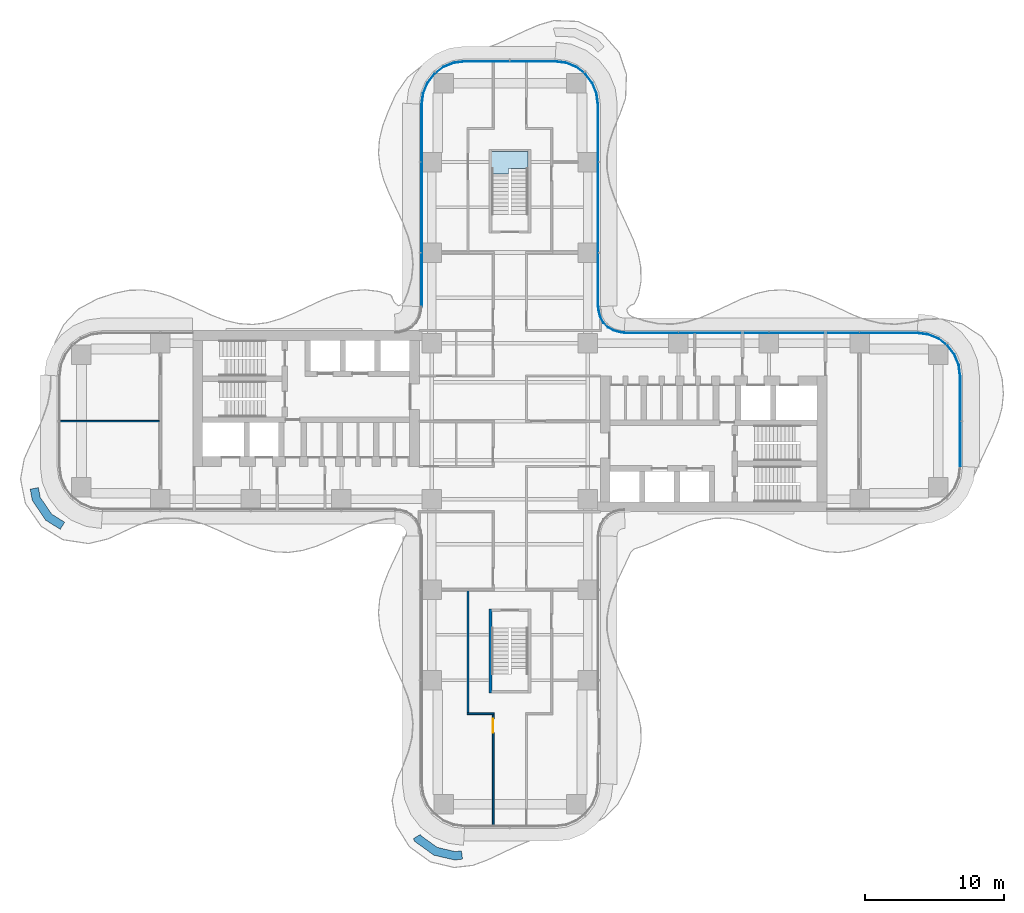
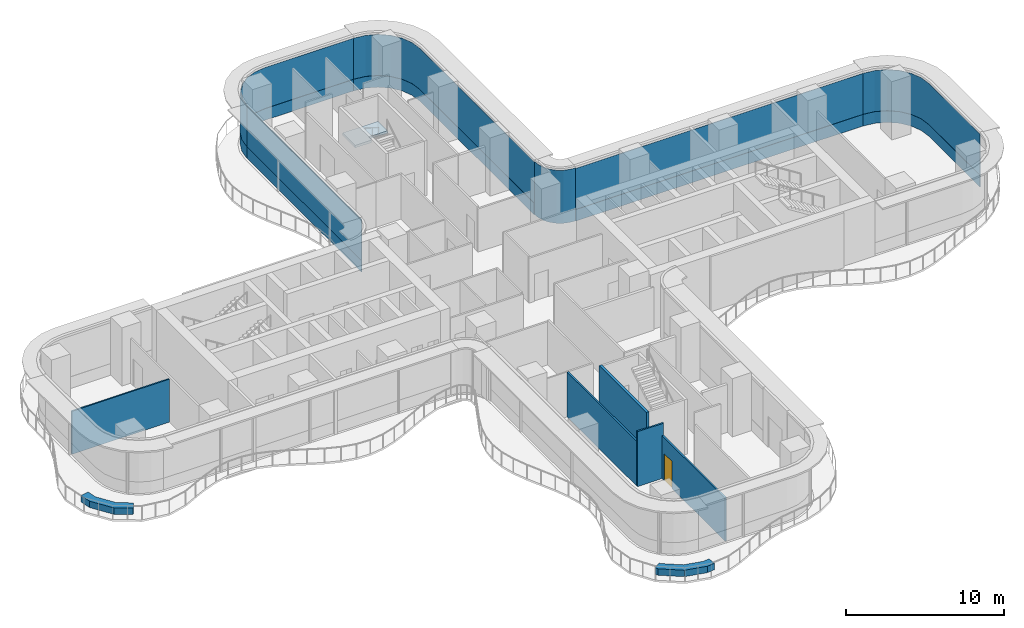
# One storey, part 16 of 23: 11 plates, 7 walls, 1 door, 1 slab, 1 opening, 7 elements without a shape of their own.
"""IFC4 building model written with IfcOpenShell, lengths in metres."""

from ifc_helpers import new_model, si_unit, direction, frame, frame_2d, origin, place, context, subcontext, project, spatial, polyline, rectangle, outline, extrude, source, transform, mapped, material, layer, layer_set, type_object, element, fill, aggregate, save


model = new_model("IFC4")

# Units and contexts
model_context = context("Model", 3, precision=1e-05, world=origin(), true_north=direction((0.0, 1.0)))
body_context = subcontext(model_context, "Body", "Model", "MODEL_VIEW")
ifc_project = project(units=[si_unit("LENGTHUNIT", "METRE"), si_unit("AREAUNIT", "SQUARE_METRE"), si_unit("VOLUMEUNIT", "CUBIC_METRE"), si_unit("PLANEANGLEUNIT", "RADIAN"), si_unit("MASSUNIT", "GRAM", prefix="KILO")], contexts=[model_context])

# Site, building, storey
site_placement = place(None, origin())
site = spatial("IfcSite", under=ifc_project, at=site_placement, CompositionType="ELEMENT")
building_placement = place(site_placement, origin())
building = spatial("IfcBuilding", under=site, at=building_placement, Name="Trellis Farm Tower", CompositionType="ELEMENT")
storey_placement = place(building_placement, frame((0.0, 0.0, 74.5)))
storey = spatial("IfcBuildingStorey", under=building, at=storey_placement, Name="L15", CompositionType="ELEMENT", Elevation=74.5)

# Stair, slab
ifc_material_1 = material(Name="Concrete C50/60", Category="concrete")
stair_type = type_object("IfcStairType", Name="CORE EXIT STAIR 26 RISERS 173 MM", PredefinedType="HALF_TURN_STAIR", material=ifc_material_1)
placement_1 = place(storey_placement, origin())
stair = element("IfcStair", 1, at=placement_1, inside=storey, type_object=stair_type, Name="Exit stair N", PredefinedType="HALF_TURN_STAIR")
ifc_layer_1 = layer(ifc_material_1, 0.18994140625)
ifc_layer_set_1 = layer_set([ifc_layer_1], Name="CORE STAIR LANDING 190 CONCRETE C50/60")
slab_type = type_object("IfcSlabType", Name="CORE STAIR LANDING 190 CONCRETE C50/60", PredefinedType="LANDING", material=ifc_layer_set_1)
shared_shape_1 = source(origin(), body_context, "Body", "SweptSolid", [
    extrude(outline(polyline([(-0.10009765625, 17.753173828125), (-1.300048828125, 17.753173828125), (-1.300048828125, 18.14990234375), (-1.300048828125, 19.35009765625), (1.300048828125, 19.35009765625), (1.300048828125, 18.14990234375), (1.300048828125, 18.139892578125), (0.10009765625, 18.139892578125), (0.10009765625, 18.14990234375), (-0.10009765625, 18.14990234375), (-0.10009765625, 17.753173828125)])), origin(), (0.0, 0.0, 1.0), 0.18994140625),
])
slab_placement = place(storey_placement, frame((0.0, 0.0, 2.06005859375)))
slab = element("IfcSlab", 2, at=slab_placement, type_object=slab_type, Name="STN landing 1", PredefinedType="LANDING", context=body_context, shape_type="MappedRepresentation", body=[
    mapped(shared_shape_1, transform((0.0, 0.0, 0.0))),
])
aggregate(stair, [slab])

# Curtain wall, plates
ifc_material_2 = material(Name="Aluminium and glass curtain wall", Category="aluminium")
ifc_layer_2 = layer(ifc_material_2, 0.18994140625)
ifc_layer_set_2 = layer_set([ifc_layer_2], Name="RIBBON CURTAIN WALL CW1")
curtain_wall_type_1 = type_object("IfcCurtainWallType", Name="RIBBON CURTAIN WALL CW1", PredefinedType="NOTDEFINED", material=ifc_layer_set_2)
curtain_wall_1 = element("IfcCurtainWall", 3, at=placement_1, inside=storey, type_object=curtain_wall_type_1, Name="CW1 008", PredefinedType="NOTDEFINED")
ifc_material_3 = material(Name="Clear insulated glass", Category="glass")
ifc_layer_3 = layer(ifc_material_3, 0.0400390625)
ifc_layer_set_3 = layer_set([ifc_layer_3], Name="CW1 GLASS PANEL 40")
plate_type_1 = type_object("IfcPlateType", Name="CW1 GLASS PANEL 40", PredefinedType="CURTAIN_PANEL", material=ifc_layer_set_3)
shared_shape_2 = source(origin(), body_context, "Body", "SweptSolid", [
    extrude(outline(polyline([(29.240234375, 6.35009765625), (8.2265625, 6.35009765625), (8.22509765625, 6.31005859375), (29.237548828125, 6.31005859375), (29.240234375, 6.35009765625)])), origin(), (0.0, 0.0, 1.0), 3.170166015625),
])
placement_2 = place(storey_placement, frame((0.0, 0.0, 0.89990234375)))
plate_1 = element("IfcPlate", 4, at=placement_2, type_object=plate_type_1, Name="PL1 008", PredefinedType="CURTAIN_PANEL", context=body_context, shape_type="MappedRepresentation", body=[
    mapped(shared_shape_2, transform((0.0, 0.0, 0.0))),
])
ifc_material_4 = material(Name="Sandstone faced insulated panel", Category="masonry")
ifc_layer_4 = layer(ifc_material_4, 0.050048828125)
ifc_layer_set_4 = layer_set([ifc_layer_4], Name="CW1 STONE SPANDREL PANEL 50")
plate_type_2 = type_object("IfcPlateType", Name="CW1 STONE SPANDREL PANEL 50", PredefinedType="CURTAIN_PANEL", material=ifc_layer_set_4)
shared_shape_3 = source(origin(), body_context, "Body", "SweptSolid", [
    extrude(outline(polyline([(29.240234375, 6.35009765625), (8.2265625, 6.35009765625), (8.224853515625, 6.300048828125), (29.23681640625, 6.300048828125), (29.240234375, 6.35009765625)])), origin(), (0.0, 0.0, 1.0), 0.89990234375),
])
plate_2 = element("IfcPlate", 5, at=placement_1, type_object=plate_type_2, Name="PS1 008", PredefinedType="CURTAIN_PANEL", context=body_context, shape_type="MappedRepresentation", body=[
    mapped(shared_shape_3, transform((0.0, 0.0, 0.0))),
])
aggregate(curtain_wall_1, [plate_1, plate_2])

# Curtain wall, plate
ifc_layer_5 = layer(ifc_material_2, 0.166015625)
ifc_layer_set_5 = layer_set([ifc_layer_5], Name="WINTER GARDEN CURTAIN WALL CW3")
curtain_wall_type_2 = type_object("IfcCurtainWallType", Name="WINTER GARDEN CURTAIN WALL CW3", PredefinedType="NOTDEFINED", material=ifc_layer_set_5)
curtain_wall_2 = element("IfcCurtainWall", 6, at=placement_1, inside=storey, type_object=curtain_wall_type_2, Name="CW3 003", PredefinedType="NOTDEFINED")
ifc_layer_6 = layer(ifc_material_3, 0.0458984375)
ifc_layer_set_6 = layer_set([ifc_layer_6], Name="CW3 GLASS PANEL 46")
plate_type_3 = type_object("IfcPlateType", Name="CW3 GLASS PANEL 46", PredefinedType="CURTAIN_PANEL", material=ifc_layer_set_6)
shared_shape_4 = source(origin(), body_context, "Body", "SweptSolid", [
    extrude(outline(polyline([(8.2275390625, 6.3798828125), (8.0078125, 6.394287109375), (7.89208984375, 6.40966796875), (7.462158203125, 6.52490234375), (7.070556640625, 6.7509765625), (6.7509765625, 7.070556640625), (6.52490234375, 7.462158203125), (6.40966796875, 7.89208984375), (6.394287109375, 8.0078125), (6.3798828125, 8.2275390625), (6.333984375, 8.22607421875), (6.3486328125, 8.003173828125), (6.364501953125, 7.883056640625), (6.48193359375, 7.4443359375), (6.714111328125, 7.04248046875), (7.04248046875, 6.714111328125), (7.4443359375, 6.48193359375), (7.883056640625, 6.364501953125), (8.003173828125, 6.3486328125), (8.22607421875, 6.333984375), (8.2275390625, 6.3798828125)])), origin(), (0.0, 0.0, 1.0), 4.10009765625),
])
plate_3 = element("IfcPlate", 7, at=placement_1, type_object=plate_type_3, Name="PL3 003", PredefinedType="CURTAIN_PANEL", context=body_context, shape_type="MappedRepresentation", body=[
    mapped(shared_shape_4, transform((0.0, 0.0, 0.0))),
])
aggregate(curtain_wall_2, [plate_3])

# Curtain wall, plates
curtain_wall_3 = element("IfcCurtainWall", 8, at=placement_1, inside=storey, type_object=curtain_wall_type_1, Name="CW1 007", PredefinedType="NOTDEFINED")
shared_shape_5 = source(origin(), body_context, "Body", "SweptSolid", [
    extrude(outline(polyline([(32.35009765625, -3.240234375), (32.35009765625, 3.240234375), (32.2431640625, 4.052001953125), (31.93359375, 4.79931640625), (31.441162109375, 5.441162109375), (30.79931640625, 5.93359375), (30.052001953125, 6.2431640625), (29.240234375, 6.35009765625), (29.237548828125, 6.31005859375), (30.04150390625, 6.2041015625), (30.779296875, 5.898681640625), (31.41259765625, 5.41259765625), (31.898681640625, 4.779296875), (32.2041015625, 4.04150390625), (32.31005859375, 3.237548828125), (32.31005859375, -3.237548828125), (32.35009765625, -3.240234375)])), origin(), (0.0, 0.0, 1.0), 3.170166015625),
])
plate_4 = element("IfcPlate", 9, at=placement_2, type_object=plate_type_1, Name="PL1 007", PredefinedType="CURTAIN_PANEL", context=body_context, shape_type="MappedRepresentation", body=[
    mapped(shared_shape_5, transform((0.0, 0.0, 0.0))),
])
shared_shape_6 = source(origin(), body_context, "Body", "SweptSolid", [
    extrude(outline(polyline([(32.35009765625, -3.240234375), (32.35009765625, 3.240234375), (32.2431640625, 4.052001953125), (31.93359375, 4.79931640625), (31.441162109375, 5.441162109375), (30.79931640625, 5.93359375), (30.052001953125, 6.2431640625), (29.240234375, 6.35009765625), (29.23681640625, 6.300048828125), (30.0390625, 6.1943359375), (30.774169921875, 5.889892578125), (31.405517578125, 5.405517578125), (31.889892578125, 4.774169921875), (32.1943359375, 4.0390625), (32.300048828125, 3.23681640625), (32.300048828125, -3.23681640625), (32.35009765625, -3.240234375)])), origin(), (0.0, 0.0, 1.0), 0.89990234375),
])
plate_5 = element("IfcPlate", 10, at=placement_1, type_object=plate_type_2, Name="PS1 007", PredefinedType="CURTAIN_PANEL", context=body_context, shape_type="MappedRepresentation", body=[
    mapped(shared_shape_6, transform((0.0, 0.0, 0.0))),
])
aggregate(curtain_wall_3, [plate_4, plate_5])

curtain_wall_4 = element("IfcCurtainWall", 11, at=placement_1, inside=storey, type_object=curtain_wall_type_1, Name="CW1 009", PredefinedType="NOTDEFINED")
shared_shape_7 = source(origin(), body_context, "Body", "SweptSolid", [
    extrude(outline(polyline([(6.35009765625, 8.2265625), (6.35009765625, 22.740234375), (6.2431640625, 23.552001953125), (5.93359375, 24.29931640625), (5.441162109375, 24.941162109375), (4.79931640625, 25.43359375), (4.052001953125, 25.7431640625), (3.240234375, 25.85009765625), (3.237548828125, 25.81005859375), (4.04150390625, 25.7041015625), (4.779296875, 25.398681640625), (5.41259765625, 24.91259765625), (5.898681640625, 24.279296875), (6.2041015625, 23.54150390625), (6.31005859375, 22.737548828125), (6.31005859375, 8.22509765625), (6.35009765625, 8.2265625)])), origin(), (0.0, 0.0, 1.0), 3.170166015625),
])
plate_6 = element("IfcPlate", 12, at=placement_2, type_object=plate_type_1, Name="PL1 009", PredefinedType="CURTAIN_PANEL", context=body_context, shape_type="MappedRepresentation", body=[
    mapped(shared_shape_7, transform((0.0, 0.0, 0.0))),
])
shared_shape_8 = source(origin(), body_context, "Body", "SweptSolid", [
    extrude(outline(polyline([(6.35009765625, 8.2265625), (6.35009765625, 22.740234375), (6.2431640625, 23.552001953125), (5.93359375, 24.29931640625), (5.441162109375, 24.941162109375), (4.79931640625, 25.43359375), (4.052001953125, 25.7431640625), (3.240234375, 25.85009765625), (3.23681640625, 25.800048828125), (4.0390625, 25.6943359375), (4.774169921875, 25.389892578125), (5.405517578125, 24.905517578125), (5.889892578125, 24.274169921875), (6.1943359375, 23.5390625), (6.300048828125, 22.73681640625), (6.300048828125, 8.224853515625), (6.35009765625, 8.2265625)])), origin(), (0.0, 0.0, 1.0), 0.89990234375),
])
plate_7 = element("IfcPlate", 13, at=placement_1, type_object=plate_type_2, Name="PS1 009", PredefinedType="CURTAIN_PANEL", context=body_context, shape_type="MappedRepresentation", body=[
    mapped(shared_shape_8, transform((0.0, 0.0, 0.0))),
])
aggregate(curtain_wall_4, [plate_6, plate_7])

curtain_wall_5 = element("IfcCurtainWall", 14, at=placement_1, inside=storey, type_object=curtain_wall_type_1, Name="CW1 011", PredefinedType="NOTDEFINED")
shared_shape_9 = source(origin(), body_context, "Body", "SweptSolid", [
    extrude(outline(polyline([(-6.35009765625, 22.740234375), (-6.35009765625, 8.2265625), (-6.31005859375, 8.22509765625), (-6.31005859375, 22.737548828125), (-6.35009765625, 22.740234375)])), origin(), (0.0, 0.0, 1.0), 3.170166015625),
])
plate_8 = element("IfcPlate", 15, at=placement_2, type_object=plate_type_1, Name="PL1 011", PredefinedType="CURTAIN_PANEL", context=body_context, shape_type="MappedRepresentation", body=[
    mapped(shared_shape_9, transform((0.0, 0.0, 0.0))),
])
shared_shape_10 = source(origin(), body_context, "Body", "SweptSolid", [
    extrude(outline(polyline([(-6.35009765625, 22.740234375), (-6.35009765625, 8.2265625), (-6.300048828125, 8.224853515625), (-6.300048828125, 22.73681640625), (-6.35009765625, 22.740234375)])), origin(), (0.0, 0.0, 1.0), 0.89990234375),
])
plate_9 = element("IfcPlate", 16, at=placement_1, type_object=plate_type_2, Name="PS1 011", PredefinedType="CURTAIN_PANEL", context=body_context, shape_type="MappedRepresentation", body=[
    mapped(shared_shape_10, transform((0.0, 0.0, 0.0))),
])
aggregate(curtain_wall_5, [plate_8, plate_9])

curtain_wall_6 = element("IfcCurtainWall", 17, at=placement_1, inside=storey, type_object=curtain_wall_type_1, Name="CW1 010", PredefinedType="NOTDEFINED")
shared_shape_11 = source(origin(), body_context, "Body", "SweptSolid", [
    extrude(outline(polyline([(3.240234375, 25.85009765625), (-3.240234375, 25.85009765625), (-4.052001953125, 25.7431640625), (-4.79931640625, 25.43359375), (-5.441162109375, 24.941162109375), (-5.93359375, 24.29931640625), (-6.2431640625, 23.552001953125), (-6.35009765625, 22.740234375), (-6.31005859375, 22.737548828125), (-6.2041015625, 23.54150390625), (-5.898681640625, 24.279296875), (-5.41259765625, 24.91259765625), (-4.779296875, 25.398681640625), (-4.04150390625, 25.7041015625), (-3.237548828125, 25.81005859375), (3.237548828125, 25.81005859375), (3.240234375, 25.85009765625)])), origin(), (0.0, 0.0, 1.0), 3.170166015625),
])
plate_10 = element("IfcPlate", 18, at=placement_2, type_object=plate_type_1, Name="PL1 010", PredefinedType="CURTAIN_PANEL", context=body_context, shape_type="MappedRepresentation", body=[
    mapped(shared_shape_11, transform((0.0, 0.0, 0.0))),
])
shared_shape_12 = source(origin(), body_context, "Body", "SweptSolid", [
    extrude(outline(polyline([(3.240234375, 25.85009765625), (-3.240234375, 25.85009765625), (-4.052001953125, 25.7431640625), (-4.79931640625, 25.43359375), (-5.441162109375, 24.941162109375), (-5.93359375, 24.29931640625), (-6.2431640625, 23.552001953125), (-6.35009765625, 22.740234375), (-6.300048828125, 22.73681640625), (-6.1943359375, 23.5390625), (-5.889892578125, 24.274169921875), (-5.405517578125, 24.905517578125), (-4.774169921875, 25.389892578125), (-4.0390625, 25.6943359375), (-3.23681640625, 25.800048828125), (3.23681640625, 25.800048828125), (3.240234375, 25.85009765625)])), origin(), (0.0, 0.0, 1.0), 0.89990234375),
])
plate_11 = element("IfcPlate", 19, at=placement_1, type_object=plate_type_2, Name="PS1 010", PredefinedType="CURTAIN_PANEL", context=body_context, shape_type="MappedRepresentation", body=[
    mapped(shared_shape_12, transform((0.0, 0.0, 0.0))),
])
aggregate(curtain_wall_6, [plate_10, plate_11])

# Walls
ifc_material_5 = material(Name="Sandstone faced masonry planter", Category="masonry")
ifc_layer_7 = layer(ifc_material_5, 0.60009765625)
ifc_layer_set_7 = layer_set([ifc_layer_7], Name="PLANTER BED 600")
wall_type_1 = type_object("IfcWallType", Name="PLANTER BED 600", PredefinedType="USERDEFINED", material=ifc_layer_set_7)
element("IfcWall", 20, at=placement_1, inside=storey, type_object=wall_type_1, Name="PLANTER bed", ObjectType="PLANTER", PredefinedType="USERDEFINED", context=body_context, shape_type="SweptSolid", body=[
    extrude(outline(polyline([(-3.952880859375, -31.506591796875), (-5.457275390625, -31.156982421875), (-6.80810546875, -30.189208984375), (-6.9365234375, -29.98095703125), (-6.42578125, -29.666015625), (-6.36083984375, -29.771484375), (-5.205078125, -30.599609375), (-3.919921875, -30.898193359375), (-3.471923828125, -30.843994140625), (-3.39990234375, -31.439697265625), (-3.952880859375, -31.506591796875)])), origin(), (0.0, 0.0, 1.0), 0.5),
])
element("IfcWall", 21, at=placement_1, inside=storey, type_object=wall_type_1, Name="PLANTER bed", ObjectType="PLANTER", PredefinedType="USERDEFINED", context=body_context, shape_type="SweptSolid", body=[
    extrude(outline(polyline([(-34.274658203125, -5.706298828125), (-34.435302734375, -4.884765625), (-33.846435546875, -4.76953125), (-33.70947265625, -5.47021484375), (-32.885986328125, -6.67919921875), (-31.958984375, -7.251708984375), (-32.274169921875, -7.76220703125), (-33.31005859375, -7.12255859375), (-34.274658203125, -5.706298828125)])), origin(), (0.0, 0.0, 1.0), 0.5),
])
ifc_material_6 = material(Name="Concrete C80/95", Category="concrete")
ifc_layer_8 = layer(ifc_material_6, 0.199951171875)
ifc_layer_set_8 = layer_set([ifc_layer_8], Name="CORE STAIR ENCLOSURE WALL 200 CONCRETE C80/95")
wall_type_2 = type_object("IfcWallType", Name="CORE STAIR ENCLOSURE WALL 200 CONCRETE C80/95", PredefinedType="SHEAR", material=ifc_layer_set_8)
shared_shape_13 = source(origin(), body_context, "Body", "SweptSolid", [
    extrude(rectangle(XDim=6.0, YDim=0.199951171875, at=frame_2d((3.0, 0.0))), origin(), (0.0, 0.0, 1.0), 4.25),
])
wall_3_placement = place(storey_placement, frame((-1.39990234375, -13.5, 0.0), z_axis=(0.0, 0.0, 1.0), x_axis=(0.0, -1.0, 0.0)))
element("IfcWall", 22, at=wall_3_placement, inside=storey, type_object=wall_type_2, Name="Stair enclosure wall", PredefinedType="SHEAR", context=body_context, shape_type="MappedRepresentation", body=[
    mapped(shared_shape_13, transform((0.0, 0.0, 0.0))),
])
ifc_material_7 = material(Name="Plasterboard on steel studs", Category="steel")
ifc_layer_9 = layer(ifc_material_7, 0.10009765625)
ifc_layer_set_9 = layer_set([ifc_layer_9], Name="PARTITION 100 STUD EI 30")
wall_type_3 = type_object("IfcWallType", Name="PARTITION 100 STUD EI 30", PredefinedType="PARTITIONING", material=ifc_layer_set_9)
shared_shape_14 = source(origin(), body_context, "Body", "SweptSolid", [
    extrude(rectangle(XDim=7.137451171875, YDim=0.10009765625, at=frame_2d((3.56884765625, 0.0))), origin(), (0.0, 0.0, 1.0), 3.330078125),
])
wall_4_placement = place(storey_placement, frame((-32.300048828125, 0.0, 0.0), z_axis=(0.0, 0.0, 1.0), x_axis=(1.0, 0.0, 0.0)))
element("IfcWall", 23, at=wall_4_placement, inside=storey, type_object=wall_type_3, Name="Partition PW2", PredefinedType="PARTITIONING", context=body_context, shape_type="MappedRepresentation", body=[
    mapped(shared_shape_14, transform((0.0, 0.0, 0.0))),
])

# Wall, opening, door
ifc_material_8 = material(Name="Plasterboard on steel studs, mineral wool", Category="steel")
ifc_layer_10 = layer(ifc_material_8, 0.125)
ifc_layer_set_10 = layer_set([ifc_layer_10], Name="PARTITION 125 STUD EI 60")
wall_type_4 = type_object("IfcWallType", Name="PARTITION 125 STUD EI 60", PredefinedType="PARTITIONING", material=ifc_layer_set_10)
shared_shape_15 = source(origin(), body_context, "Body", "SweptSolid", [
    extrude(rectangle(XDim=7.987548828125, YDim=0.125, at=frame_2d((3.99365234375, 0.0))), origin(), (0.0, 0.0, 1.0), 3.330078125),
])
wall_5_placement = place(storey_placement, frame((-1.199951171875, -21.0625, 0.0), z_axis=(0.0, 0.0, 1.0), x_axis=(0.0, -1.0, 0.0)))
wall_5 = element("IfcWall", 24, at=wall_5_placement, inside=storey, type_object=wall_type_4, Name="Partition PW1", PredefinedType="PARTITIONING", context=body_context, shape_type="MappedRepresentation", body=[
    mapped(shared_shape_15, transform((0.0, 0.0, 0.0))),
])
shared_shape_16 = source(origin(), body_context, "Body", "SweptSolid", [
    extrude(rectangle(XDim=1.0, YDim=2.10009765625, at=frame_2d((0.5, 1.050048828125))), frame((0.0, 0.072509765625, 0.0), z_axis=(0.0, -1.0, 0.0), x_axis=(1.0, 0.0, 0.0)), (0.0, 0.0, 1.0), 0.14501953125),
])
opening_placement = place(wall_5_placement, frame((0.28759765625, 0.0, 0.0)))
opening = element("IfcOpeningElement", 25, at=opening_placement, cuts=wall_5, Name="Opening D102", PredefinedType="OPENING", context=body_context, shape_type="MappedRepresentation", body=[
    mapped(shared_shape_16, transform((0.0, 0.0, 0.0))),
])
ifc_material_9 = material(Name="Fire-rated timber door leaf in a hollow metal frame", Category="wood")
door_type = type_object("IfcDoorType", Name="DOOR 1000x2100 FD30S", OperationType="NOTDEFINED", PredefinedType="DOOR", material=ifc_material_9)
shared_shape_17 = source(origin(), body_context, "Body", "SweptSolid", [
    extrude(rectangle(XDim=1.0, YDim=2.10009765625, at=frame_2d((0.5, 1.050048828125))), frame((0.0, 0.02490234375, 0.0), z_axis=(0.0, -1.0, 0.0), x_axis=(1.0, 0.0, 0.0)), (0.0, 0.0, 1.0), 0.050048828125),
])
door_placement = place(opening_placement, origin())
door = element("IfcDoor", 26, at=door_placement, inside=storey, type_object=door_type, Name="Door D102", OperationType="SINGLE_SWING_LEFT", OverallHeight=2.10009765625, OverallWidth=1.0, PredefinedType="DOOR", context=body_context, shape_type="MappedRepresentation", body=[
    mapped(shared_shape_17, transform((0.0, 0.0, 0.0))),
])
fill(opening, door)

# Walls
shared_shape_18 = source(origin(), body_context, "Body", "SweptSolid", [
    extrude(rectangle(XDim=1.925048828125, YDim=0.125, at=frame_2d((0.96240234375, 0.0))), origin(), (0.0, 0.0, 1.0), 4.25),
])
wall_6_placement = place(storey_placement, frame((-1.137451171875, -21.0, 0.0), z_axis=(0.0, 0.0, 1.0), x_axis=(-1.0, 0.0, 0.0)))
element("IfcWall", 27, at=wall_6_placement, inside=storey, type_object=wall_type_4, Name="Partition PW1", PredefinedType="PARTITIONING", context=body_context, shape_type="MappedRepresentation", body=[
    mapped(shared_shape_18, transform((0.0, 0.0, 0.0))),
])
shared_shape_19 = source(origin(), body_context, "Body", "SweptSolid", [
    extrude(rectangle(XDim=8.78759765625, YDim=0.125, at=frame_2d((4.393798828125, 0.0))), origin(), (0.0, 0.0, 1.0), 3.4677734375),
])
wall_7_placement = place(storey_placement, frame((-3.0, -20.9375, 0.0), z_axis=(0.0, 0.0, 1.0), x_axis=(0.0, 1.0, 0.0)))
element("IfcWall", 28, at=wall_7_placement, inside=storey, type_object=wall_type_4, Name="Partition PW1", PredefinedType="PARTITIONING", context=body_context, shape_type="MappedRepresentation", body=[
    mapped(shared_shape_19, transform((0.0, 0.0, 0.0))),
])

save(model, "model.ifc")
